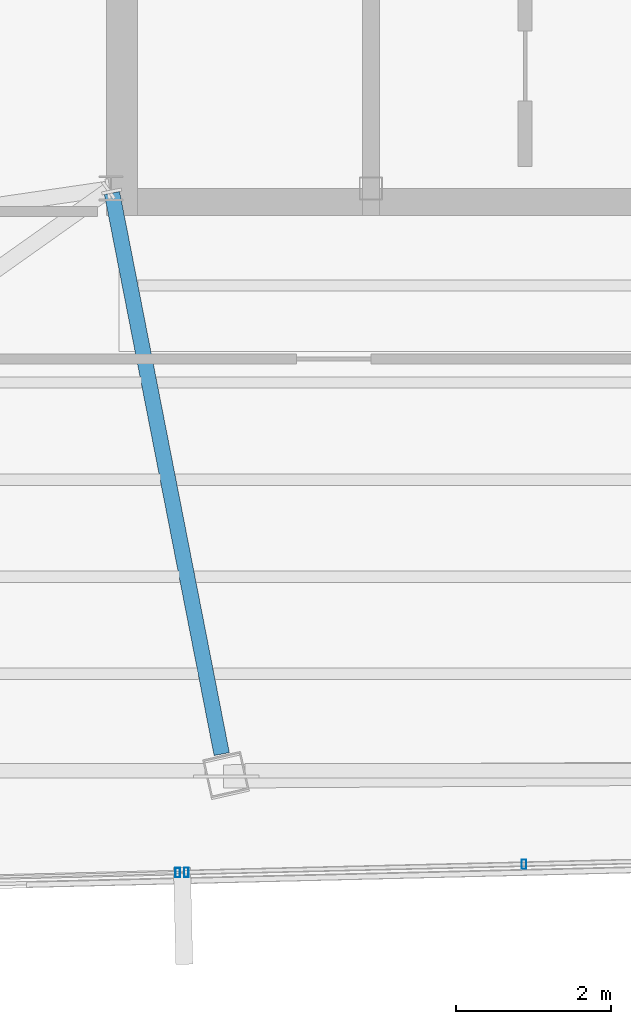
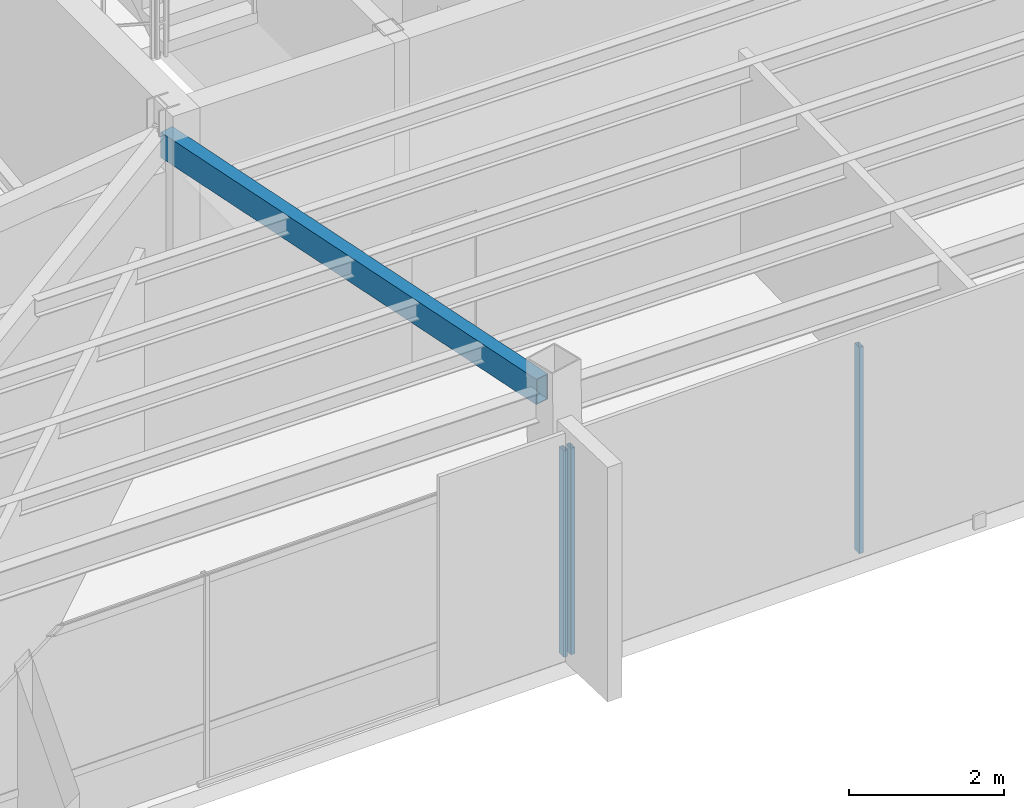
# One storey, part 11 of 44: 3 members, 1 beam, 2 elements without a shape of their own.
"""IFC4 building model written with IfcOpenShell, lengths in metres."""

from ifc_helpers import new_model, si_unit, direction, frame, origin, origin_2d, place, context, subcontext, project, spatial, hollow_rectangle, extrude, source, transform, mapped, material, material_profile, profile_set, type_object, type_shapes, element, aggregate, save


model = new_model("IFC4")

# Units and contexts
model_context = context("Model", 3, precision=1e-05, world=origin(), true_north=direction((0.0, 1.0)))
body_context = subcontext(model_context, "Body", "Model", "MODEL_VIEW")
ifc_project = project(units=[si_unit("LENGTHUNIT", "METRE"), si_unit("AREAUNIT", "SQUARE_METRE"), si_unit("VOLUMEUNIT", "CUBIC_METRE"), si_unit("PLANEANGLEUNIT", "RADIAN"), si_unit("MASSUNIT", "GRAM", prefix="KILO")], contexts=[model_context])

# Site, building, storey
site_placement = place(None, origin())
site = spatial("IfcSite", under=ifc_project, at=site_placement, CompositionType="ELEMENT")
building_placement = place(site_placement, origin())
building = spatial("IfcBuilding", under=site, at=building_placement, Name="Caelisora Broadcast Tower", CompositionType="ELEMENT")
storey_placement = place(building_placement, frame((0.0, 0.0, 280.949951171875)))
storey = spatial("IfcBuildingStorey", under=building, at=storey_placement, Name="L74", CompositionType="ELEMENT", Elevation=280.949951171875)

# Beam
ifc_material_1 = material(Name="Steel Grade 350 (AS/NZS 1163 C350L0)", Category="steel")
ifc_material_profile_1 = material_profile(ifc_material_1, hollow_rectangle(XDim=0.199951171875, YDim=0.39990234375, WallThickness=0.012451171875, at=origin_2d()), Name="Steel Grade 350 (AS/NZS 1163 C350L0)")
ifc_profile_set_1 = profile_set([ifc_material_profile_1], Name="Steel Grade 350 (AS/NZS 1163 C350L0)")
beam_type = type_object("IfcBeamType", Name="PG07", PredefinedType="BEAM", material=ifc_profile_set_1)
shared_shape_1 = source(origin(), body_context, "Body", "SweptSolid", [
    extrude(hollow_rectangle(XDim=0.199951171875, YDim=0.39990234375, WallThickness=0.012451171875, at=origin_2d()), origin(), (0.0, 0.0, 1.0), 7.371826171875),
])
type_shapes(beam_type, [shared_shape_1])
beam_placement = place(storey_placement, frame((30.511474609375, 17.341064453125, 3.050048828125), z_axis=(0.191955438604, -0.98140364254, 0.0), x_axis=(0.98140364254, 0.191955438604, 0.0)))
element("IfcBeam", 1, at=beam_placement, inside=storey, type_object=beam_type, Name="L74 beam PG07", PredefinedType="BEAM", context=body_context, shape_type="MappedRepresentation", body=[
    mapped(shared_shape_1, transform((0.0, 0.0, 0.0), scale=1.0)),
])

# Curtain wall, members
ifc_material_2 = material(Name="Unitised Aluminium Insulated Shadow-Box Spandrel Curtain Wall", Category="aluminium")
curtain_wall_type_1 = type_object("IfcCurtainWallType", Name="CW-SP3", PredefinedType="NOTDEFINED", material=ifc_material_2)
curtain_wall_1_placement = place(storey_placement, origin())
curtain_wall_1 = element("IfcCurtainWall", 2, at=curtain_wall_1_placement, inside=storey, type_object=curtain_wall_type_1, Name="L74 curtain wall CW-SP3", PredefinedType="NOTDEFINED")
ifc_material_3 = material(Name="Aluminium 6063-T6 Anodised Terracotta Bronze", Category="aluminium")
ifc_material_profile_2 = material_profile(ifc_material_3, hollow_rectangle(XDim=0.06005859375, YDim=0.1201171875, WallThickness=0.0029296875, at=origin_2d()), Name="Aluminium 6063-T6 Anodised Terracotta Bronze")
ifc_profile_set_2 = profile_set([ifc_material_profile_2], Name="Aluminium 6063-T6 Anodised Terracotta Bronze")
member_type = type_object("IfcMemberType", Name="CWM-04", PredefinedType="MULLION", material=ifc_profile_set_2)
shared_shape_2 = source(origin(), body_context, "Body", "SweptSolid", [
    extrude(hollow_rectangle(XDim=0.06005859375, YDim=0.1201171875, WallThickness=0.0029296875, at=origin_2d()), origin(), (0.0, 0.0, 1.0), 3.25),
])
type_shapes(member_type, [shared_shape_2])
member_1_placement = place(storey_placement, frame((35.82421875, 8.686279296875, 0.0), z_axis=(0.0, 0.0, 1.0), x_axis=(1.0, 0.0, 0.0)))
member_1 = element("IfcMember", 3, at=member_1_placement, type_object=member_type, Name="L74-CW-B06 mullion #2", PredefinedType="MULLION", context=body_context, shape_type="MappedRepresentation", body=[
    mapped(shared_shape_2, transform((0.0, 0.0, 0.0), scale=1.0)),
])
member_2_placement = place(storey_placement, frame((31.47021484375, 8.580322265625, 0.0), z_axis=(0.0, 0.0, 1.0), x_axis=(1.0, 0.0, 0.0)))
member_2 = element("IfcMember", 4, at=member_2_placement, type_object=member_type, Name="L74-CW-B06 mullion #3", PredefinedType="MULLION", context=body_context, shape_type="MappedRepresentation", body=[
    mapped(shared_shape_2, transform((0.0, 0.0, 0.0), scale=1.0)),
])
aggregate(curtain_wall_1, [member_1, member_2])

# Curtain wall, member
ifc_material_4 = material(Name="Unitised Aluminium and Low-E Glass Curtain Wall", Category="glass")
curtain_wall_type_2 = type_object("IfcCurtainWallType", Name="CW-Z5", PredefinedType="NOTDEFINED", material=ifc_material_4)
curtain_wall_2_placement = place(storey_placement, origin())
curtain_wall_2 = element("IfcCurtainWall", 5, at=curtain_wall_2_placement, inside=storey, type_object=curtain_wall_type_2, Name="L74 curtain wall CW-Z5", PredefinedType="NOTDEFINED")
member_3_placement = place(storey_placement, frame((31.360107421875, 8.577880859375, 0.0), z_axis=(0.0, 0.0, 1.0), x_axis=(1.0, 0.0, 0.0)))
member_3 = element("IfcMember", 6, at=member_3_placement, type_object=member_type, Name="L74-CW-B07 mullion #0", PredefinedType="MULLION", context=body_context, shape_type="MappedRepresentation", body=[
    mapped(shared_shape_2, transform((0.0, 0.0, 0.0), scale=1.0)),
])
aggregate(curtain_wall_2, [member_3])

save(model, "model.ifc")
